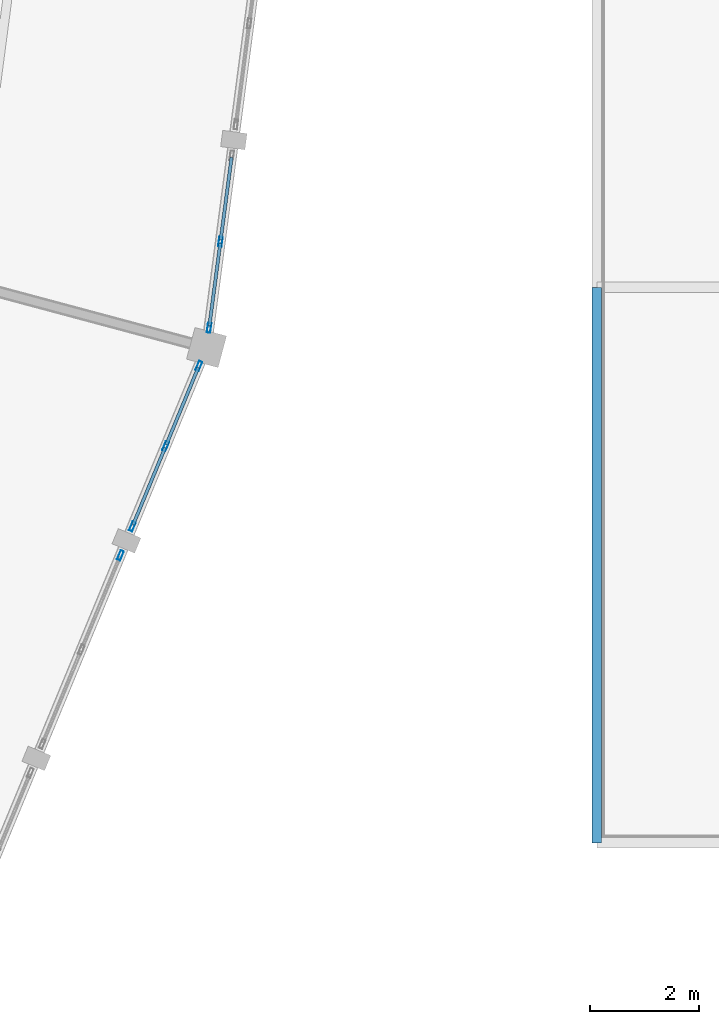
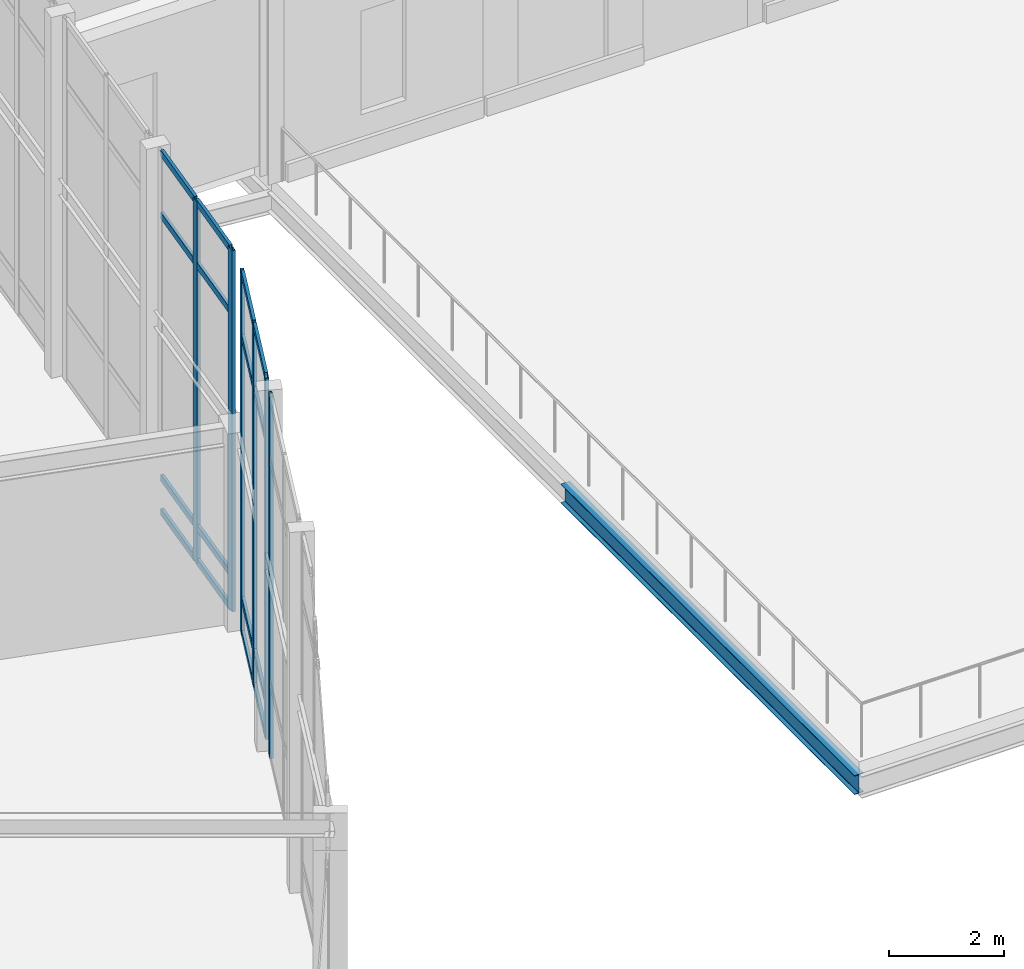
# One storey, part 113 of 185: 22 members, 1 beam, 3 elements without a shape of their own.
"""IFC4 building model written with IfcOpenShell, lengths in metres."""

from ifc_helpers import new_model, si_unit, direction, frame, origin, origin_2d, place, context, subcontext, project, spatial, hollow_rectangle, i_section, extrude, material, material_profile, profile_set, type_object, element, aggregate, save


model = new_model("IFC4")

# Units and contexts
model_context = context("Model", 3, precision=1e-05, world=origin(), true_north=direction((0.0, 1.0)))
body_context = subcontext(model_context, "Body", "Model", "MODEL_VIEW")
ifc_project = project(units=[si_unit("LENGTHUNIT", "METRE"), si_unit("AREAUNIT", "SQUARE_METRE"), si_unit("VOLUMEUNIT", "CUBIC_METRE"), si_unit("PLANEANGLEUNIT", "RADIAN"), si_unit("MASSUNIT", "GRAM", prefix="KILO")], contexts=[model_context])

# Site, building, storey
site_placement = place(None, origin())
site = spatial("IfcSite", under=ifc_project, at=site_placement, CompositionType="ELEMENT")
building_placement = place(site_placement, origin())
building = spatial("IfcBuilding", under=site, at=building_placement, Name="Vondelvale Polytechnic", CompositionType="ELEMENT")
storey_placement = place(building_placement, frame((0.0, 0.0, 9.60009765625)))
storey = spatial("IfcBuildingStorey", under=building, at=storey_placement, Name="L02", CompositionType="ELEMENT", Elevation=9.60009765625)

# Beam
ifc_material_1 = material(Name="Steel 300PLUS (fy = 300 MPa)", Category="steel")
ifc_material_profile_1 = material_profile(ifc_material_1, i_section(OverallWidth=0.177978515625, OverallDepth=0.406005859375, WebThickness=0.0078125, FlangeThickness=0.0126953125, FilletRadius=0.011474609375, at=origin_2d()), Name="410UB59.7")
ifc_profile_set_1 = profile_set([ifc_material_profile_1], Name="Steel 300PLUS (fy = 300 MPa)")
beam_type = type_object("IfcBeamType", Name="BM-UB410", PredefinedType="BEAM", material=ifc_profile_set_1)
beam_placement = place(storey_placement, frame((153.60009765625, 51.0, -0.463134765625), z_axis=(0.0, 1.0, 0.0), x_axis=(-1.0, 0.0, 0.0)))
element("IfcBeam", 1, at=beam_placement, inside=storey, type_object=beam_type, Name="L02 B B-14", PredefinedType="BEAM", context=body_context, shape_type="SweptSolid", body=[
    extrude(i_section(OverallWidth=0.177978515625, OverallDepth=0.406005859375, WebThickness=0.0078125, FlangeThickness=0.0126953125, FilletRadius=0.011474609375, at=origin_2d()), origin(), (0.0, 0.0, 1.0), 10.199951171875),
])

# Curtain wall, member
ifc_material_2 = material(Name="Glulam GL18 structural Tasmanian oak (fb = 42 MPa)", Category="wood")
curtain_wall_type = type_object("IfcCurtainWallType", Name="CW-RING-OUTER", PredefinedType="NOTDEFINED", material=ifc_material_2)
curtain_wall_1_placement = place(storey_placement, origin())
curtain_wall_1 = element("IfcCurtainWall", 2, at=curtain_wall_1_placement, inside=storey, type_object=curtain_wall_type, Name="L02 architectural curtain wall CW-04-368", PredefinedType="NOTDEFINED")
ifc_material_3 = material(Name="Anodised extruded aluminium 6063-T6", Category="aluminium")
ifc_material_profile_2 = material_profile(ifc_material_3, hollow_rectangle(XDim=0.06494140625, YDim=0.179931640625, WallThickness=0.00390625, at=origin_2d()), Name="CW-MUL-180x65")
ifc_profile_set_2 = profile_set([ifc_material_profile_2], Name="Anodised extruded aluminium 6063-T6")
member_type_1 = type_object("IfcMemberType", Name="CW-MUL-65x180", PredefinedType="MULLION", material=ifc_profile_set_2)
member_1_placement = place(storey_placement, frame((144.85205078125, 56.278564453125, 0.0), z_axis=(0.0, 0.0, 1.0), x_axis=(-0.92387490701, 0.382694599123, 0.0)))
member_1 = element("IfcMember", 3, at=member_1_placement, type_object=member_type_1, Name="CW-04-368 mullion 3", PredefinedType="MULLION", context=body_context, shape_type="SweptSolid", body=[
    extrude(hollow_rectangle(XDim=0.06494140625, YDim=0.179931640625, WallThickness=0.00390625, at=origin_2d()), origin(), (0.0, 0.0, 1.0), 7.661376953125),
])
aggregate(curtain_wall_1, [member_1])

# Curtain wall, members
curtain_wall_2_placement = place(storey_placement, origin())
curtain_wall_2 = element("IfcCurtainWall", 4, at=curtain_wall_2_placement, inside=storey, type_object=curtain_wall_type, Name="L02 architectural curtain wall CW-04-369", PredefinedType="NOTDEFINED")
member_2_placement = place(storey_placement, frame((145.072021484375, 56.809814453125, 0.0), z_axis=(0.0, 0.0, 1.0), x_axis=(-0.923882033442, 0.382677394529, 0.0)))
member_2 = element("IfcMember", 5, at=member_2_placement, type_object=member_type_1, Name="CW-04-369 mullion 1", PredefinedType="MULLION", context=body_context, shape_type="SweptSolid", body=[
    extrude(hollow_rectangle(XDim=0.06494140625, YDim=0.179931640625, WallThickness=0.00390625, at=origin_2d()), origin(), (0.0, 0.0, 1.0), 7.661376953125),
])
member_3_placement = place(storey_placement, frame((145.6826171875, 58.283203125, 0.0), z_axis=(0.0, 0.0, 1.0), x_axis=(-0.923882033442, 0.382677394529, 0.0)))
member_3 = element("IfcMember", 6, at=member_3_placement, type_object=member_type_1, Name="CW-04-369 mullion 2", PredefinedType="MULLION", context=body_context, shape_type="SweptSolid", body=[
    extrude(hollow_rectangle(XDim=0.06494140625, YDim=0.179931640625, WallThickness=0.00390625, at=origin_2d()), origin(), (0.0, 0.0, 1.0), 7.661376953125),
])
member_4_placement = place(storey_placement, frame((146.29296875, 59.7568359375, 0.0), z_axis=(0.0, 0.0, 1.0), x_axis=(-0.923882033442, 0.382677394529, 0.0)))
member_4 = element("IfcMember", 7, at=member_4_placement, type_object=member_type_1, Name="CW-04-369 mullion 3", PredefinedType="MULLION", context=body_context, shape_type="SweptSolid", body=[
    extrude(hollow_rectangle(XDim=0.06494140625, YDim=0.179931640625, WallThickness=0.00390625, at=origin_2d()), origin(), (0.0, 0.0, 1.0), 7.661376953125),
])

curtain_wall_3_placement = place(storey_placement, origin())
curtain_wall_3 = element("IfcCurtainWall", 8, at=curtain_wall_3_placement, inside=storey, type_object=curtain_wall_type, Name="L02 architectural curtain wall CW-04-379", PredefinedType="NOTDEFINED")
member_5_placement = place(storey_placement, frame((146.480224609375, 60.45654296875, 0.0), z_axis=(0.0, 0.0, 1.0), x_axis=(-0.991443102996, 0.130539547729, 0.0)))
member_5 = element("IfcMember", 9, at=member_5_placement, type_object=member_type_1, Name="CW-04-379 mullion 1", PredefinedType="MULLION", context=body_context, shape_type="SweptSolid", body=[
    extrude(hollow_rectangle(XDim=0.06494140625, YDim=0.179931640625, WallThickness=0.00390625, at=origin_2d()), origin(), (0.0, 0.0, 1.0), 7.661376953125),
])
member_6_placement = place(storey_placement, frame((146.6884765625, 62.037841796875, 0.0), z_axis=(0.0, 0.0, 1.0), x_axis=(-0.991443102996, 0.130539547729, 0.0)))
member_6 = element("IfcMember", 10, at=member_6_placement, type_object=member_type_1, Name="CW-04-379 mullion 2", PredefinedType="MULLION", context=body_context, shape_type="SweptSolid", body=[
    extrude(hollow_rectangle(XDim=0.06494140625, YDim=0.179931640625, WallThickness=0.00390625, at=origin_2d()), origin(), (0.0, 0.0, 1.0), 7.661376953125),
])

# Member
ifc_material_profile_3 = material_profile(ifc_material_3, hollow_rectangle(XDim=0.06005859375, YDim=0.139892578125, WallThickness=0.00341796875, at=origin_2d()), Name="CW-TRN-140x60")
ifc_profile_set_3 = profile_set([ifc_material_profile_3], Name="Anodised extruded aluminium 6063-T6")
member_type_2 = type_object("IfcMemberType", Name="CW-TRN-60x140", PredefinedType="USERDEFINED", material=ifc_profile_set_3)
member_7_placement = place(storey_placement, frame((145.08447265625, 56.83984375, 0.02978515625), z_axis=(0.382835668721, 0.923816459452, 0.0), x_axis=(-0.923816459452, 0.382835668721, 0.0)))
member_7 = element("IfcMember", 11, at=member_7_placement, type_object=member_type_2, Name="CW-04-369 transom 1.1", ObjectType="TRANSOM", PredefinedType="USERDEFINED", context=body_context, shape_type="SweptSolid", body=[
    extrude(hollow_rectangle(XDim=0.06005859375, YDim=0.139892578125, WallThickness=0.00341796875, at=origin_2d()), origin(), (0.0, 0.0, 1.0), 1.52978515625),
])

member_8_placement = place(storey_placement, frame((145.08447265625, 56.83984375, 0.75), z_axis=(0.382835668721, 0.923816459452, 0.0), x_axis=(-0.923816459452, 0.382835668721, 0.0)))
member_8 = element("IfcMember", 12, at=member_8_placement, type_object=member_type_2, Name="CW-04-369 transom 1.2", ObjectType="TRANSOM", PredefinedType="USERDEFINED", context=body_context, shape_type="SweptSolid", body=[
    extrude(hollow_rectangle(XDim=0.06005859375, YDim=0.139892578125, WallThickness=0.00341796875, at=origin_2d()), origin(), (0.0, 0.0, 1.0), 1.52978515625),
])

member_9_placement = place(storey_placement, frame((145.08447265625, 56.83984375, 6.311279296875), z_axis=(0.382835668721, 0.923816459452, 0.0), x_axis=(-0.923816459452, 0.382835668721, 0.0)))
member_9 = element("IfcMember", 13, at=member_9_placement, type_object=member_type_2, Name="CW-04-369 transom 1.3", ObjectType="TRANSOM", PredefinedType="USERDEFINED", context=body_context, shape_type="SweptSolid", body=[
    extrude(hollow_rectangle(XDim=0.06005859375, YDim=0.139892578125, WallThickness=0.00341796875, at=origin_2d()), origin(), (0.0, 0.0, 1.0), 1.52978515625),
])

member_10_placement = place(storey_placement, frame((145.08447265625, 56.83984375, 7.63134765625), z_axis=(0.382835668721, 0.923816459452, 0.0), x_axis=(-0.923816459452, 0.382835668721, 0.0)))
member_10 = element("IfcMember", 14, at=member_10_placement, type_object=member_type_2, Name="CW-04-369 transom 1.4", ObjectType="TRANSOM", PredefinedType="USERDEFINED", context=body_context, shape_type="SweptSolid", body=[
    extrude(hollow_rectangle(XDim=0.06005859375, YDim=0.139892578125, WallThickness=0.00341796875, at=origin_2d()), origin(), (0.0, 0.0, 1.0), 1.52978515625),
])

member_11_placement = place(storey_placement, frame((145.69482421875, 58.313232421875, 0.02978515625), z_axis=(0.382779237206, 0.923839843027, 0.0), x_axis=(-0.923839843027, 0.382779237206, 0.0)))
member_11 = element("IfcMember", 15, at=member_11_placement, type_object=member_type_2, Name="CW-04-369 transom 2.1", ObjectType="TRANSOM", PredefinedType="USERDEFINED", context=body_context, shape_type="SweptSolid", body=[
    extrude(hollow_rectangle(XDim=0.06005859375, YDim=0.139892578125, WallThickness=0.00341796875, at=origin_2d()), origin(), (0.0, 0.0, 1.0), 1.530029296875),
])

member_12_placement = place(storey_placement, frame((145.69482421875, 58.313232421875, 0.75), z_axis=(0.382779237206, 0.923839843027, 0.0), x_axis=(-0.923839843027, 0.382779237206, 0.0)))
member_12 = element("IfcMember", 16, at=member_12_placement, type_object=member_type_2, Name="CW-04-369 transom 2.2", ObjectType="TRANSOM", PredefinedType="USERDEFINED", context=body_context, shape_type="SweptSolid", body=[
    extrude(hollow_rectangle(XDim=0.06005859375, YDim=0.139892578125, WallThickness=0.00341796875, at=origin_2d()), origin(), (0.0, 0.0, 1.0), 1.530029296875),
])

member_13_placement = place(storey_placement, frame((145.69482421875, 58.313232421875, 6.311279296875), z_axis=(0.382779237206, 0.923839843027, 0.0), x_axis=(-0.923839843027, 0.382779237206, 0.0)))
member_13 = element("IfcMember", 17, at=member_13_placement, type_object=member_type_2, Name="CW-04-369 transom 2.3", ObjectType="TRANSOM", PredefinedType="USERDEFINED", context=body_context, shape_type="SweptSolid", body=[
    extrude(hollow_rectangle(XDim=0.06005859375, YDim=0.139892578125, WallThickness=0.00341796875, at=origin_2d()), origin(), (0.0, 0.0, 1.0), 1.530029296875),
])

member_14_placement = place(storey_placement, frame((145.69482421875, 58.313232421875, 7.63134765625), z_axis=(0.382779237206, 0.923839843027, 0.0), x_axis=(-0.923839843027, 0.382779237206, 0.0)))
member_14 = element("IfcMember", 18, at=member_14_placement, type_object=member_type_2, Name="CW-04-369 transom 2.4", ObjectType="TRANSOM", PredefinedType="USERDEFINED", context=body_context, shape_type="SweptSolid", body=[
    extrude(hollow_rectangle(XDim=0.06005859375, YDim=0.139892578125, WallThickness=0.00341796875, at=origin_2d()), origin(), (0.0, 0.0, 1.0), 1.530029296875),
])

aggregate(curtain_wall_2, [member_2, member_3, member_4, member_7, member_8, member_9, member_10, member_11, member_12, member_13, member_14])

member_15_placement = place(storey_placement, frame((146.484375, 60.488525390625, 0.02978515625), z_axis=(0.13066912162, 0.99142603388, 0.0), x_axis=(-0.99142603388, 0.13066912162, 0.0)))
member_15 = element("IfcMember", 19, at=member_15_placement, type_object=member_type_2, Name="CW-04-379 transom 1.1", ObjectType="TRANSOM", PredefinedType="USERDEFINED", context=body_context, shape_type="SweptSolid", body=[
    extrude(hollow_rectangle(XDim=0.06005859375, YDim=0.139892578125, WallThickness=0.00341796875, at=origin_2d()), origin(), (0.0, 0.0, 1.0), 1.5302734375),
])

member_16_placement = place(storey_placement, frame((146.484375, 60.488525390625, 0.75), z_axis=(0.13066912162, 0.99142603388, 0.0), x_axis=(-0.99142603388, 0.13066912162, 0.0)))
member_16 = element("IfcMember", 20, at=member_16_placement, type_object=member_type_2, Name="CW-04-379 transom 1.2", ObjectType="TRANSOM", PredefinedType="USERDEFINED", context=body_context, shape_type="SweptSolid", body=[
    extrude(hollow_rectangle(XDim=0.06005859375, YDim=0.139892578125, WallThickness=0.00341796875, at=origin_2d()), origin(), (0.0, 0.0, 1.0), 1.5302734375),
])

member_17_placement = place(storey_placement, frame((146.484375, 60.488525390625, 6.311279296875), z_axis=(0.13066912162, 0.99142603388, 0.0), x_axis=(-0.99142603388, 0.13066912162, 0.0)))
member_17 = element("IfcMember", 21, at=member_17_placement, type_object=member_type_2, Name="CW-04-379 transom 1.3", ObjectType="TRANSOM", PredefinedType="USERDEFINED", context=body_context, shape_type="SweptSolid", body=[
    extrude(hollow_rectangle(XDim=0.06005859375, YDim=0.139892578125, WallThickness=0.00341796875, at=origin_2d()), origin(), (0.0, 0.0, 1.0), 1.5302734375),
])

member_18_placement = place(storey_placement, frame((146.484375, 60.488525390625, 7.63134765625), z_axis=(0.13066912162, 0.99142603388, 0.0), x_axis=(-0.99142603388, 0.13066912162, 0.0)))
member_18 = element("IfcMember", 22, at=member_18_placement, type_object=member_type_2, Name="CW-04-379 transom 1.4", ObjectType="TRANSOM", PredefinedType="USERDEFINED", context=body_context, shape_type="SweptSolid", body=[
    extrude(hollow_rectangle(XDim=0.06005859375, YDim=0.139892578125, WallThickness=0.00341796875, at=origin_2d()), origin(), (0.0, 0.0, 1.0), 1.5302734375),
])

member_19_placement = place(storey_placement, frame((146.692626953125, 62.070068359375, 0.02978515625), z_axis=(0.130532942165, 0.991443972703, 0.0), x_axis=(-0.991443972703, 0.130532942165, 0.0)))
member_19 = element("IfcMember", 23, at=member_19_placement, type_object=member_type_2, Name="CW-04-379 transom 2.1", ObjectType="TRANSOM", PredefinedType="USERDEFINED", context=body_context, shape_type="SweptSolid", body=[
    extrude(hollow_rectangle(XDim=0.06005859375, YDim=0.139892578125, WallThickness=0.00341796875, at=origin_2d()), origin(), (0.0, 0.0, 1.0), 1.530029296875),
])

member_20_placement = place(storey_placement, frame((146.692626953125, 62.070068359375, 0.75), z_axis=(0.130532942165, 0.991443972703, 0.0), x_axis=(-0.991443972703, 0.130532942165, 0.0)))
member_20 = element("IfcMember", 24, at=member_20_placement, type_object=member_type_2, Name="CW-04-379 transom 2.2", ObjectType="TRANSOM", PredefinedType="USERDEFINED", context=body_context, shape_type="SweptSolid", body=[
    extrude(hollow_rectangle(XDim=0.06005859375, YDim=0.139892578125, WallThickness=0.00341796875, at=origin_2d()), origin(), (0.0, 0.0, 1.0), 1.530029296875),
])

member_21_placement = place(storey_placement, frame((146.692626953125, 62.070068359375, 6.311279296875), z_axis=(0.130532942165, 0.991443972703, 0.0), x_axis=(-0.991443972703, 0.130532942165, 0.0)))
member_21 = element("IfcMember", 25, at=member_21_placement, type_object=member_type_2, Name="CW-04-379 transom 2.3", ObjectType="TRANSOM", PredefinedType="USERDEFINED", context=body_context, shape_type="SweptSolid", body=[
    extrude(hollow_rectangle(XDim=0.06005859375, YDim=0.139892578125, WallThickness=0.00341796875, at=origin_2d()), origin(), (0.0, 0.0, 1.0), 1.530029296875),
])

member_22_placement = place(storey_placement, frame((146.692626953125, 62.070068359375, 7.63134765625), z_axis=(0.130532942165, 0.991443972703, 0.0), x_axis=(-0.991443972703, 0.130532942165, 0.0)))
member_22 = element("IfcMember", 26, at=member_22_placement, type_object=member_type_2, Name="CW-04-379 transom 2.4", ObjectType="TRANSOM", PredefinedType="USERDEFINED", context=body_context, shape_type="SweptSolid", body=[
    extrude(hollow_rectangle(XDim=0.06005859375, YDim=0.139892578125, WallThickness=0.00341796875, at=origin_2d()), origin(), (0.0, 0.0, 1.0), 1.530029296875),
])

aggregate(curtain_wall_3, [member_5, member_6, member_15, member_16, member_17, member_18, member_19, member_20, member_21, member_22])

save(model, "model.ifc")
